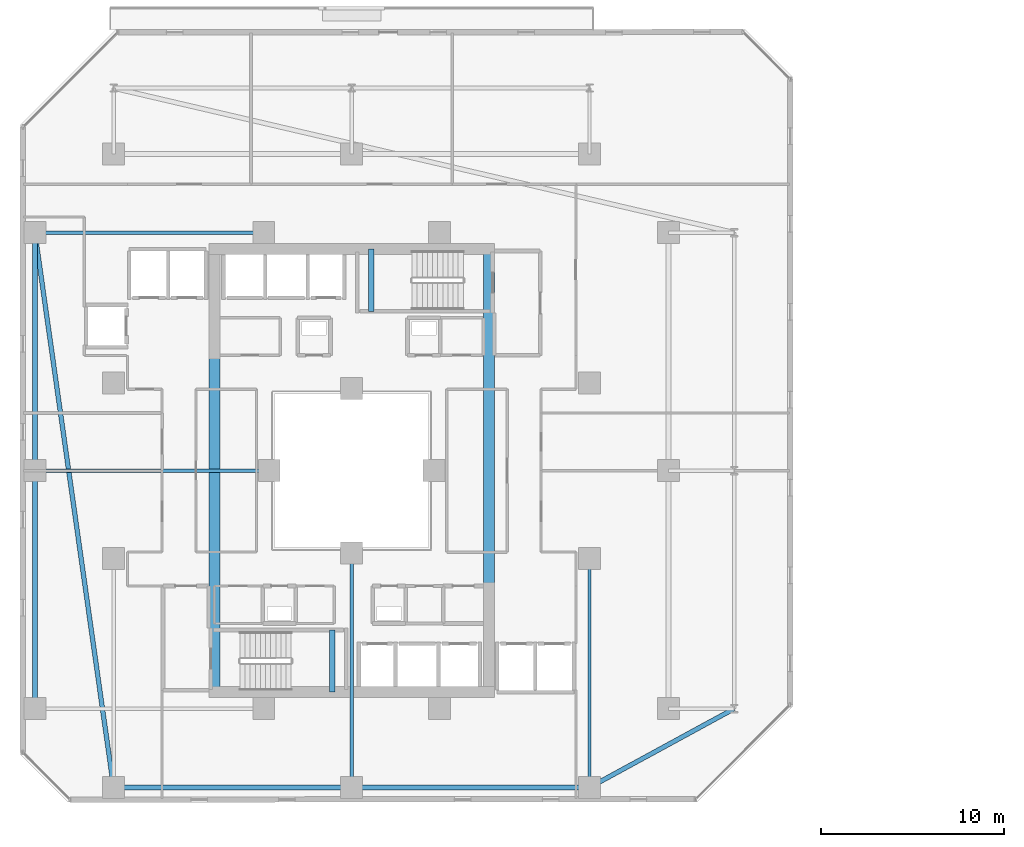
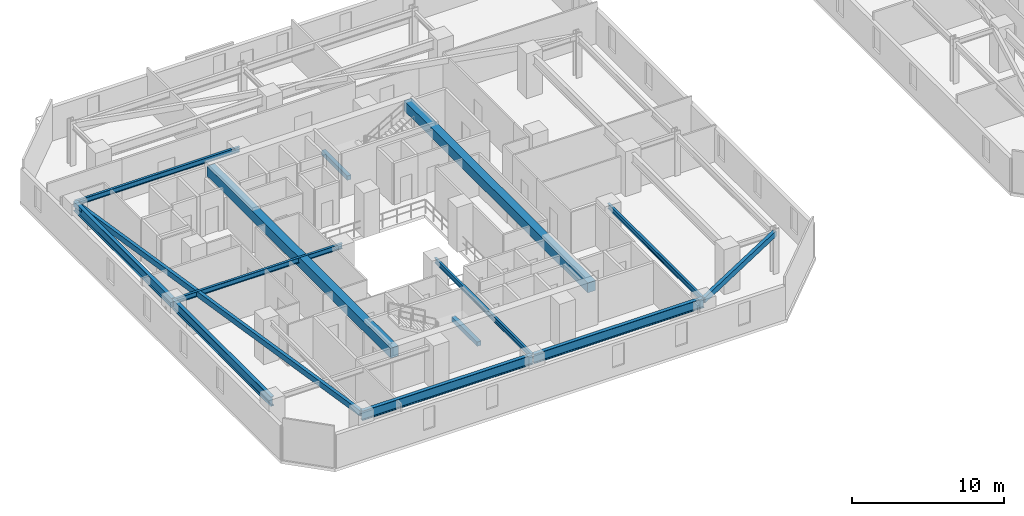
# One storey, part 4 of 31: 14 beams.
"""IFC4 building model written with IfcOpenShell, lengths in metres."""

from ifc_helpers import new_model, si_unit, direction, frame, origin, origin_2d, place, context, subcontext, project, spatial, rectangle, hollow_rectangle, i_section, extrude, material, material_profile, profile_set, type_object, element, save


model = new_model("IFC4")

# Units and contexts
model_context = context("Model", 3, precision=1e-05, world=origin(), true_north=direction((0.0, 1.0)))
body_context = subcontext(model_context, "Body", "Model", "MODEL_VIEW")
ifc_project = project(units=[si_unit("LENGTHUNIT", "METRE"), si_unit("AREAUNIT", "SQUARE_METRE"), si_unit("VOLUMEUNIT", "CUBIC_METRE"), si_unit("PLANEANGLEUNIT", "RADIAN"), si_unit("MASSUNIT", "GRAM", prefix="KILO")], contexts=[model_context])

# Site, building, storey
site_placement = place(None, origin())
site = spatial("IfcSite", under=ifc_project, at=site_placement, CompositionType="ELEMENT")
building_placement = place(site_placement, origin())
building = spatial("IfcBuilding", under=site, at=building_placement, Name="Thornwick Lancets Civic Towers", CompositionType="ELEMENT")
storey_placement = place(building_placement, frame((0.0, 0.0, 87.300048828125)))
storey = spatial("IfcBuildingStorey", under=building, at=storey_placement, Name="L22", CompositionType="ELEMENT", Elevation=87.300048828125)

# Beams
ifc_material_1 = material(Name="Concrete C60/75", Category="concrete")
ifc_material_profile_1 = material_profile(ifc_material_1, rectangle(XDim=0.60009765625, YDim=0.800048828125, at=origin_2d()), Name="RC 600x800")
ifc_profile_set_1 = profile_set([ifc_material_profile_1], Name="Concrete C60/75")
beam_type_1 = type_object("IfcBeamType", Name="BM_COUP_RC800", PredefinedType="BEAM", material=ifc_profile_set_1)
for number, where, z_axis, x_axis, name in (
    (1, (33.0, 14.89990234375, 2.9599609375), (0.0, 1.0, 0.0), (-1.0, 0.0, 0.0), "CB-L22-A1"),
    (2, (18.0, 14.89990234375, 2.9599609375), (0.0, 1.0, 0.0), (-1.0, 0.0, 0.0), "CB-L22-A2"),
):
    element("IfcBeam", number, at=place(storey_placement, frame(where, z_axis=z_axis, x_axis=x_axis)), inside=storey, type_object=beam_type_1, Name=name, PredefinedType="BEAM", context=body_context, shape_type="SweptSolid", body=[
        extrude(rectangle(XDim=0.60009765625, YDim=0.800048828125, at=origin_2d()), origin(), (0.0, 0.0, 1.0), 24.2001953125),
    ])
ifc_material_2 = material(Name="Steel S355JR", Category="steel")
ifc_material_profile_2 = material_profile(ifc_material_2, i_section(OverallWidth=0.26806640625, OverallDepth=0.769775390625, WebThickness=0.015625, FlangeThickness=0.025390625, FilletRadius=0.0166015625, at=origin_2d()), Name="UKB 762x267x197")
ifc_profile_set_2 = profile_set([ifc_material_profile_2], Name="Steel S355JR")
beam_type_2 = type_object("IfcBeamType", Name="BM_GIRD_762_197", PredefinedType="BEAM", material=ifc_profile_set_2)
beam_1_placement = place(storey_placement, frame((12.5, 9.699951171875, 2.97509765625), z_axis=(1.0, 0.0, 0.0), x_axis=(0.0, 1.0, 0.0)))
element("IfcBeam", 3, at=beam_1_placement, inside=storey, type_object=beam_type_2, Name="BM-SPINE-L22-A-0-1", PredefinedType="BEAM", context=body_context, shape_type="SweptSolid", body=[
    extrude(i_section(OverallWidth=0.26806640625, OverallDepth=0.769775390625, WebThickness=0.015625, FlangeThickness=0.025390625, FilletRadius=0.0166015625, at=origin_2d()), origin(), (0.0, 0.0, 1.0), 13.0),
])
beam_2_placement = place(storey_placement, frame((25.580078125, 9.699951171875, 2.97509765625), z_axis=(1.0, 0.0, 0.0), x_axis=(0.0, 1.0, 0.0)))
element("IfcBeam", 4, at=beam_2_placement, inside=storey, type_object=beam_type_2, Name="BM-SPINE-L22-A-1-2", PredefinedType="BEAM", context=body_context, shape_type="SweptSolid", body=[
    extrude(i_section(OverallWidth=0.26806640625, OverallDepth=0.769775390625, WebThickness=0.015625, FlangeThickness=0.025390625, FilletRadius=0.0166015625, at=origin_2d()), origin(), (0.0, 0.0, 1.0), 12.919921875),
])
beam_3_placement = place(storey_placement, frame((8.199951171875, 14.0, 2.97509765625), z_axis=(0.0, 1.0, 0.0), x_axis=(-1.0, 0.0, 0.0)))
element("IfcBeam", 5, at=beam_3_placement, inside=storey, type_object=beam_type_2, Name="BM-SPINE-L22-A-9-10", PredefinedType="BEAM", context=body_context, shape_type="SweptSolid", body=[
    extrude(i_section(OverallWidth=0.26806640625, OverallDepth=0.769775390625, WebThickness=0.015625, FlangeThickness=0.025390625, FilletRadius=0.0166015625, at=origin_2d()), origin(), (0.0, 0.0, 1.0), 13.0),
])
beam_4_placement = place(storey_placement, frame((8.199951171875, 27.080078125, 2.97509765625), z_axis=(0.0, 1.0, 0.0), x_axis=(-1.0, 0.0, 0.0)))
element("IfcBeam", 6, at=beam_4_placement, inside=storey, type_object=beam_type_2, Name="BM-SPINE-L22-A-10-11", PredefinedType="BEAM", context=body_context, shape_type="SweptSolid", body=[
    extrude(i_section(OverallWidth=0.26806640625, OverallDepth=0.769775390625, WebThickness=0.015625, FlangeThickness=0.025390625, FilletRadius=0.0166015625, at=origin_2d()), origin(), (0.0, 0.0, 1.0), 12.919921875),
])
ifc_material_profile_3 = material_profile(ifc_material_2, i_section(OverallWidth=0.179443359375, OverallDepth=0.412841796875, WebThickness=0.009521484375, FlangeThickness=0.01611328125, FilletRadius=0.01025390625, at=origin_2d()), Name="UKB 406x178x74")
ifc_profile_set_3 = profile_set([ifc_material_profile_3], Name="Steel S355JR")
beam_type_3 = type_object("IfcBeamType", Name="BM_JOIST_406_74", PredefinedType="JOIST", material=ifc_profile_set_3)
beam_5_placement = place(storey_placement, frame((25.5, 22.5, 3.153564453125), z_axis=(0.0, -1.0, 0.0), x_axis=(1.0, 0.0, 0.0)))
element("IfcBeam", 7, at=beam_5_placement, inside=storey, type_object=beam_type_3, Name="BM-RADIN-L22-A02", PredefinedType="JOIST", context=body_context, shape_type="SweptSolid", body=[
    extrude(i_section(OverallWidth=0.179443359375, OverallDepth=0.412841796875, WebThickness=0.009521484375, FlangeThickness=0.01611328125, FilletRadius=0.01025390625, at=origin_2d()), origin(), (0.0, 0.0, 1.0), 12.800048828125),
])
beam_6_placement = place(storey_placement, frame((38.5, 22.199951171875, 3.153564453125), z_axis=(0.0, -1.0, 0.0), x_axis=(1.0, 0.0, 0.0)))
element("IfcBeam", 8, at=beam_6_placement, inside=storey, type_object=beam_type_3, Name="BM-RADIN-L22-A03", PredefinedType="JOIST", context=body_context, shape_type="SweptSolid", body=[
    extrude(i_section(OverallWidth=0.179443359375, OverallDepth=0.412841796875, WebThickness=0.009521484375, FlangeThickness=0.01611328125, FilletRadius=0.01025390625, at=origin_2d()), origin(), (0.0, 0.0, 1.0), 12.5),
])
beam_7_placement = place(storey_placement, frame((21.0, 27.0, 3.153564453125), z_axis=(-1.0, 0.0, 0.0), x_axis=(0.0, -1.0, 0.0)))
element("IfcBeam", 9, at=beam_7_placement, inside=storey, type_object=beam_type_3, Name="BM-RADIN-L22-A11", PredefinedType="JOIST", context=body_context, shape_type="SweptSolid", body=[
    extrude(i_section(OverallWidth=0.179443359375, OverallDepth=0.412841796875, WebThickness=0.009521484375, FlangeThickness=0.01611328125, FilletRadius=0.01025390625, at=origin_2d()), origin(), (0.0, 0.0, 1.0), 12.800048828125),
])
beam_8_placement = place(storey_placement, frame((20.699951171875, 40.0, 3.153564453125), z_axis=(-1.0, 0.0, 0.0), x_axis=(0.0, -1.0, 0.0)))
element("IfcBeam", 10, at=beam_8_placement, inside=storey, type_object=beam_type_3, Name="BM-RADIN-L22-A12", PredefinedType="JOIST", context=body_context, shape_type="SweptSolid", body=[
    extrude(i_section(OverallWidth=0.179443359375, OverallDepth=0.412841796875, WebThickness=0.009521484375, FlangeThickness=0.01611328125, FilletRadius=0.01025390625, at=origin_2d()), origin(), (0.0, 0.0, 1.0), 12.5),
])
ifc_material_profile_4 = material_profile(ifc_material_2, hollow_rectangle(XDim=0.25, YDim=0.449951171875, WallThickness=0.01611328125, at=origin_2d()), Name="RHS 450x250x16")
ifc_profile_set_4 = profile_set([ifc_material_profile_4], Name="Steel S355JR")
beam_type_4 = type_object("IfcBeamType", Name="BM_RING_RHS450", PredefinedType="BEAM", material=ifc_profile_set_4)
beam_9_placement = place(storey_placement, frame((38.5, 9.699951171875, 3.135009765625), z_axis=(0.878315357038, 0.478081722712, 0.0), x_axis=(-0.478081722712, 0.878315357038, 0.0)))
element("IfcBeam", 11, at=beam_9_placement, inside=storey, type_object=beam_type_4, Name="BM-CHAMF-L22-A-C0", PredefinedType="BEAM", context=body_context, shape_type="SweptSolid", body=[
    extrude(hollow_rectangle(XDim=0.25, YDim=0.449951171875, WallThickness=0.01611328125, at=origin_2d()), origin(), (0.0, 0.0, 1.0), 8.994384765625),
])
beam_10_placement = place(storey_placement, frame((8.199951171875, 40.0, 3.135009765625), z_axis=(0.140507712682, -0.990079584012, 0.0), x_axis=(0.990079584012, 0.140507712682, 0.0)))
element("IfcBeam", 12, at=beam_10_placement, inside=storey, type_object=beam_type_4, Name="BM-CHAMF-L22-A-C3", PredefinedType="BEAM", context=body_context, shape_type="SweptSolid", body=[
    extrude(hollow_rectangle(XDim=0.25, YDim=0.449951171875, WallThickness=0.01611328125, at=origin_2d()), origin(), (0.0, 0.0, 1.0), 30.603759765625),
])
ifc_material_3 = material(Name="Concrete C40/50", Category="concrete")
ifc_material_profile_5 = material_profile(ifc_material_3, rectangle(XDim=0.300048828125, YDim=0.35009765625, at=origin_2d()), Name="RC 300x350")
ifc_profile_set_5 = profile_set([ifc_material_profile_5], Name="Concrete C40/50")
beam_type_5 = type_object("IfcBeamType", Name="BM_STAIR_LDG", PredefinedType="BEAM", material=ifc_profile_set_5)
for number, where, z_axis, x_axis, name in (
    (13, (24.43505859375, 14.89990234375, 1.3779296875), (0.0, 1.0, 0.0), (-1.0, 0.0, 0.0), "L22 ST-A1 Landing Support Beam 1"),
    (14, (26.56494140625, 39.10009765625, 1.3779296875), (0.0, -1.0, 0.0), (1.0, 0.0, 0.0), "L22 ST-A2 Landing Support Beam 1"),
):
    element("IfcBeam", number, at=place(storey_placement, frame(where, z_axis=z_axis, x_axis=x_axis)), inside=storey, type_object=beam_type_5, Name=name, PredefinedType="BEAM", context=body_context, shape_type="SweptSolid", body=[
        extrude(rectangle(XDim=0.300048828125, YDim=0.35009765625, at=origin_2d()), origin(), (0.0, 0.0, 1.0), 3.400146484375),
    ])

save(model, "model.ifc")
